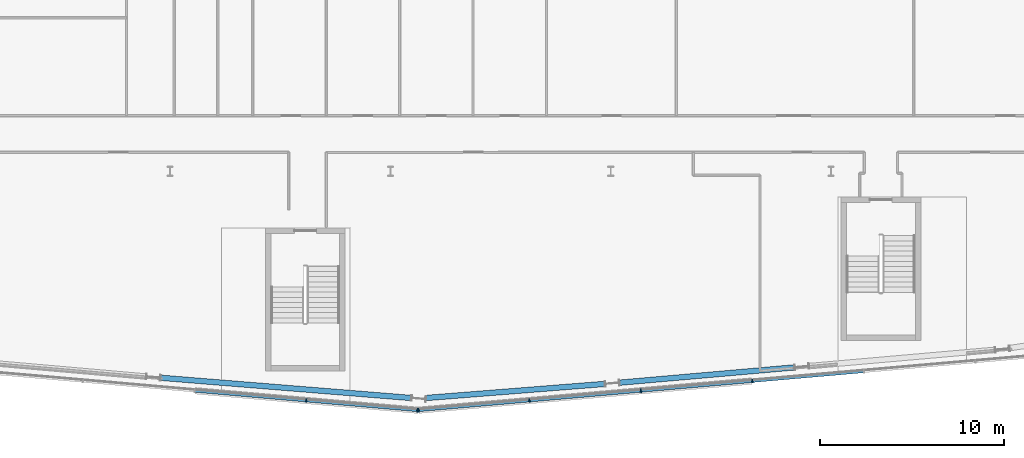
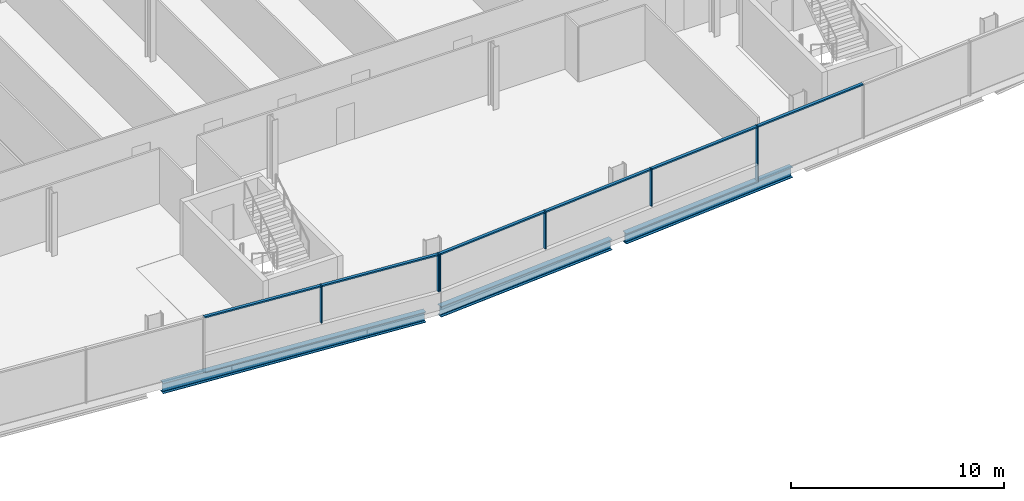
# One storey, part 7 of 25: 12 members, 3 beams, 2 elements without a shape of their own.
"""IFC4 building model written with IfcOpenShell, lengths in metres."""

from ifc_helpers import new_model, si_unit, direction, frame, origin, origin_2d, place, context, subcontext, project, spatial, rectangle, i_section, extrude, material, material_profile, profile_set, type_object, element, aggregate, save


model = new_model("IFC4")

# Units and contexts
model_context = context("Model", 3, precision=1e-05, world=origin(), true_north=direction((0.0, 1.0)))
body_context = subcontext(model_context, "Body", "Model", "MODEL_VIEW")
ifc_project = project(units=[si_unit("LENGTHUNIT", "METRE"), si_unit("AREAUNIT", "SQUARE_METRE"), si_unit("VOLUMEUNIT", "CUBIC_METRE"), si_unit("PLANEANGLEUNIT", "RADIAN"), si_unit("MASSUNIT", "GRAM", prefix="KILO")], contexts=[model_context])

# Site, building, storey
site_placement = place(None, origin())
site = spatial("IfcSite", under=ifc_project, at=site_placement, CompositionType="ELEMENT")
building_placement = place(site_placement, origin())
building = spatial("IfcBuilding", under=site, at=building_placement, Name="Wharfspan Tower", CompositionType="ELEMENT")
storey_placement = place(building_placement, frame((0.0, 0.0, 143.5)))
storey = spatial("IfcBuildingStorey", under=building, at=storey_placement, Name="L34", CompositionType="ELEMENT", Elevation=143.5)

# Beams
ifc_material_1 = material(Name="Steel S355J2", Category="steel")
ifc_material_profile_1 = material_profile(ifc_material_1, i_section(OverallWidth=0.300049, OverallDepth=0.600098, WebThickness=0.015381, FlangeThickness=0.030029, FilletRadius=0.0271, at=origin_2d()))
ifc_profile_set_1 = profile_set([ifc_material_profile_1], Name="Steel S355J2")
beam_type = type_object("IfcBeamType", Name="Edge beam HEB 600", PredefinedType="SPANDREL", material=ifc_profile_set_1)
beam_1_placement = place(storey_placement, frame((35.490967, 0.252197, -0.699951), z_axis=(0.996756, -0.080488, 0.0), x_axis=(0.080488, 0.996756, 0.0)))
element("IfcBeam", 1, at=beam_1_placement, inside=storey, type_object=beam_type, Name="Edge beam S1 L34 PS1.3 to PS1.4", PredefinedType="SPANDREL", context=body_context, shape_type="SweptSolid", body=[
    extrude(i_section(OverallWidth=0.300049, OverallDepth=0.600098, WebThickness=0.015381, FlangeThickness=0.030029, FilletRadius=0.0271, at=origin_2d()), origin(), (0.0, 0.0, 1.0), 13.683105),
])
beam_2_placement = place(storey_placement, frame((49.938721, -0.849365, -0.699951), z_axis=(0.996913, 0.078508, 0.0), x_axis=(-0.078508, 0.996913, 0.0)))
element("IfcBeam", 2, at=beam_2_placement, inside=storey, type_object=beam_type, Name="Edge beam S2 L34 PS1.4 to PS2.1", PredefinedType="SPANDREL", context=body_context, shape_type="SweptSolid", body=[
    extrude(i_section(OverallWidth=0.300049, OverallDepth=0.600098, WebThickness=0.015381, FlangeThickness=0.030029, FilletRadius=0.0271, at=origin_2d()), origin(), (0.0, 0.0, 1.0), 9.767578),
])
beam_3_placement = place(storey_placement, frame((60.479492, -0.015625, -0.699951), z_axis=(0.996194, 0.087164, 0.0), x_axis=(-0.087164, 0.996194, 0.0)))
element("IfcBeam", 3, at=beam_3_placement, inside=storey, type_object=beam_type, Name="Edge beam S2 L34 PS2.1 to PS2.2", PredefinedType="SPANDREL", context=body_context, shape_type="SweptSolid", body=[
    extrude(i_section(OverallWidth=0.300049, OverallDepth=0.600098, WebThickness=0.015381, FlangeThickness=0.030029, FilletRadius=0.0271, at=origin_2d()), origin(), (0.0, 0.0, 1.0), 9.55957),
])

# Curtain wall, members
ifc_material_2 = material(Name="Aluminium 6063-T6", Category="aluminium")
curtain_wall_type = type_object("IfcCurtainWallType", Name="CURTAIN WALL FACETED FRONT", PredefinedType="NOTDEFINED", material=ifc_material_2)
curtain_wall_1_placement = place(storey_placement, origin())
curtain_wall_1 = element("IfcCurtainWall", 4, at=curtain_wall_1_placement, inside=storey, type_object=curtain_wall_type, Name="Curtain wall S1", PredefinedType="NOTDEFINED")
ifc_material_profile_2 = material_profile(ifc_material_2, rectangle(XDim=0.199951, YDim=0.060059, at=origin_2d()))
ifc_profile_set_2 = profile_set([ifc_material_profile_2], Name="Aluminium 6063-T6")
member_type_1 = type_object("IfcMemberType", Name="MULLION FACETED FRONT 60x200", PredefinedType="MULLION", material=ifc_profile_set_2)
member_1_placement = place(storey_placement, frame((43.416748, -0.986084, 1.0), z_axis=(0.0, 0.0, 1.0), x_axis=(0.087156, 0.996198, 0.0)))
member_1 = element("IfcMember", 5, at=member_1_placement, type_object=member_type_1, Name="Curtain wall S1 mullion 6", PredefinedType="MULLION", context=body_context, shape_type="SweptSolid", body=[
    extrude(rectangle(XDim=0.199951, YDim=0.060059, at=origin_2d()), origin(), (0.0, 0.0, 1.0), 2.149902),
])
member_2_placement = place(storey_placement, frame((49.470215, -1.515625, 1.0), z_axis=(0.0, 0.0, 1.0), x_axis=(0.087156, 0.996198, 0.0)))
member_2 = element("IfcMember", 6, at=member_2_placement, type_object=member_type_1, Name="Curtain wall S1 mullion 7", PredefinedType="MULLION", context=body_context, shape_type="SweptSolid", body=[
    extrude(rectangle(XDim=0.199951, YDim=0.060059, at=origin_2d()), origin(), (0.0, 0.0, 1.0), 2.149902),
])

curtain_wall_2_placement = place(storey_placement, origin())
curtain_wall_2 = element("IfcCurtainWall", 7, at=curtain_wall_2_placement, inside=storey, type_object=curtain_wall_type, Name="Curtain wall S2", PredefinedType="NOTDEFINED")
member_3_placement = place(storey_placement, frame((49.529785, -1.515625, 1.0), z_axis=(0.0, 0.0, 1.0), x_axis=(-0.087156, 0.996198, 0.0)))
member_3 = element("IfcMember", 8, at=member_3_placement, type_object=member_type_1, Name="Curtain wall S2 mullion 1", PredefinedType="MULLION", context=body_context, shape_type="SweptSolid", body=[
    extrude(rectangle(XDim=0.199951, YDim=0.060059, at=origin_2d()), origin(), (0.0, 0.0, 1.0), 2.149902),
])
member_4_placement = place(storey_placement, frame((55.571533, -0.987061, 1.0), z_axis=(0.0, 0.0, 1.0), x_axis=(-0.087156, 0.996198, 0.0)))
member_4 = element("IfcMember", 9, at=member_4_placement, type_object=member_type_1, Name="Curtain wall S2 mullion 2", PredefinedType="MULLION", context=body_context, shape_type="SweptSolid", body=[
    extrude(rectangle(XDim=0.199951, YDim=0.060059, at=origin_2d()), origin(), (0.0, 0.0, 1.0), 2.149902),
])
member_5_placement = place(storey_placement, frame((61.642822, -0.455811, 1.0), z_axis=(0.0, 0.0, 1.0), x_axis=(-0.087156, 0.996198, 0.0)))
member_5 = element("IfcMember", 10, at=member_5_placement, type_object=member_type_1, Name="Curtain wall S2 mullion 3", PredefinedType="MULLION", context=body_context, shape_type="SweptSolid", body=[
    extrude(rectangle(XDim=0.199951, YDim=0.060059, at=origin_2d()), origin(), (0.0, 0.0, 1.0), 2.149902),
])
member_6_placement = place(storey_placement, frame((67.714355, 0.075195, 0.0), z_axis=(0.0, 0.0, 1.0), x_axis=(-0.087156, 0.996198, 0.0)))
member_6 = element("IfcMember", 11, at=member_6_placement, type_object=member_type_1, Name="Curtain wall S2 mullion 4", PredefinedType="MULLION", context=body_context, shape_type="SweptSolid", body=[
    extrude(rectangle(XDim=0.199951, YDim=0.060059, at=origin_2d()), origin(), (0.0, 0.0, 1.0), 3.149902),
])

# Member
ifc_material_profile_3 = material_profile(ifc_material_2, rectangle(XDim=0.159912, YDim=0.080078, at=origin_2d()))
ifc_profile_set_3 = profile_set([ifc_material_profile_3], Name="Aluminium 6063-T6")
member_type_2 = type_object("IfcMemberType", Name="TRANSOM FACETED FRONT 80x160", PredefinedType="USERDEFINED", material=ifc_profile_set_3)
member_7_placement = place(storey_placement, frame((37.363281, -0.456543, 3.110107), z_axis=(0.996197, -0.087135, 0.0), x_axis=(0.087135, 0.996197, 0.0)))
member_7 = element("IfcMember", 12, at=member_7_placement, type_object=member_type_2, Name="Curtain wall S1 transom 5", ObjectType="TRANSOM", PredefinedType="USERDEFINED", context=body_context, shape_type="SweptSolid", body=[
    extrude(rectangle(XDim=0.159912, YDim=0.080078, at=origin_2d()), origin(), (0.0, 0.0, 1.0), 6.046387),
])

member_8_placement = place(storey_placement, frame((43.446533, -0.98877, 3.110107), z_axis=(0.996198, -0.087122, 0.0), x_axis=(0.087122, 0.996198, 0.0)))
member_8 = element("IfcMember", 13, at=member_8_placement, type_object=member_type_2, Name="Curtain wall S1 transom 6", ObjectType="TRANSOM", PredefinedType="USERDEFINED", context=body_context, shape_type="SweptSolid", body=[
    extrude(rectangle(XDim=0.159912, YDim=0.080078, at=origin_2d()), origin(), (0.0, 0.0, 1.0), 6.016602),
])

aggregate(curtain_wall_1, [member_1, member_2, member_7, member_8])

member_9_placement = place(storey_placement, frame((49.559814, -1.512939, 3.110107), z_axis=(0.996197, 0.087133, 0.0), x_axis=(-0.087133, 0.996197, 0.0)))
member_9 = element("IfcMember", 14, at=member_9_placement, type_object=member_type_2, Name="Curtain wall S2 transom 1", ObjectType="TRANSOM", PredefinedType="USERDEFINED", context=body_context, shape_type="SweptSolid", body=[
    extrude(rectangle(XDim=0.159912, YDim=0.080078, at=origin_2d()), origin(), (0.0, 0.0, 1.0), 6.004639),
])

member_10_placement = place(storey_placement, frame((55.601318, -0.984375, 3.110107), z_axis=(0.996196, 0.087143, 0.0), x_axis=(-0.087143, 0.996196, 0.0)))
member_10 = element("IfcMember", 15, at=member_10_placement, type_object=member_type_2, Name="Curtain wall S2 transom 2", ObjectType="TRANSOM", PredefinedType="USERDEFINED", context=body_context, shape_type="SweptSolid", body=[
    extrude(rectangle(XDim=0.159912, YDim=0.080078, at=origin_2d()), origin(), (0.0, 0.0, 1.0), 6.034668),
])

member_11_placement = place(storey_placement, frame((61.672852, -0.453369, 3.110107), z_axis=(0.996192, 0.087187, 0.0), x_axis=(-0.087187, 0.996192, 0.0)))
member_11 = element("IfcMember", 16, at=member_11_placement, type_object=member_type_2, Name="Curtain wall S2 transom 3", ObjectType="TRANSOM", PredefinedType="USERDEFINED", context=body_context, shape_type="SweptSolid", body=[
    extrude(rectangle(XDim=0.159912, YDim=0.080078, at=origin_2d()), origin(), (0.0, 0.0, 1.0), 6.034424),
])

member_12_placement = place(storey_placement, frame((67.744141, 0.077881, 3.110107), z_axis=(0.996196, 0.087143, 0.0), x_axis=(-0.087143, 0.996196, 0.0)))
member_12 = element("IfcMember", 17, at=member_12_placement, type_object=member_type_2, Name="Curtain wall S2 transom 4", ObjectType="TRANSOM", PredefinedType="USERDEFINED", context=body_context, shape_type="SweptSolid", body=[
    extrude(rectangle(XDim=0.159912, YDim=0.080078, at=origin_2d()), origin(), (0.0, 0.0, 1.0), 6.034668),
])

aggregate(curtain_wall_2, [member_3, member_4, member_5, member_6, member_9, member_10, member_11, member_12])

save(model, "model.ifc")
